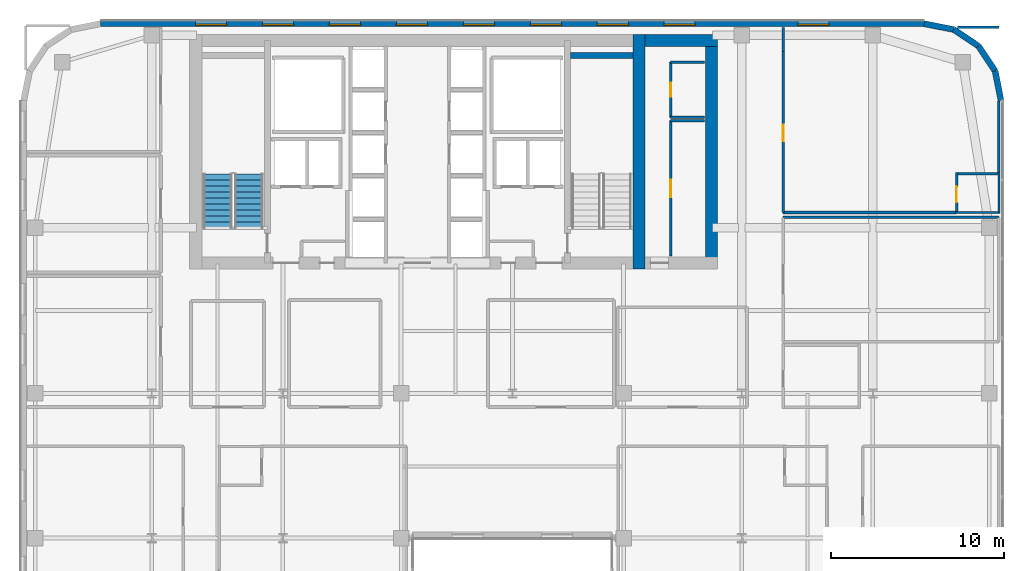
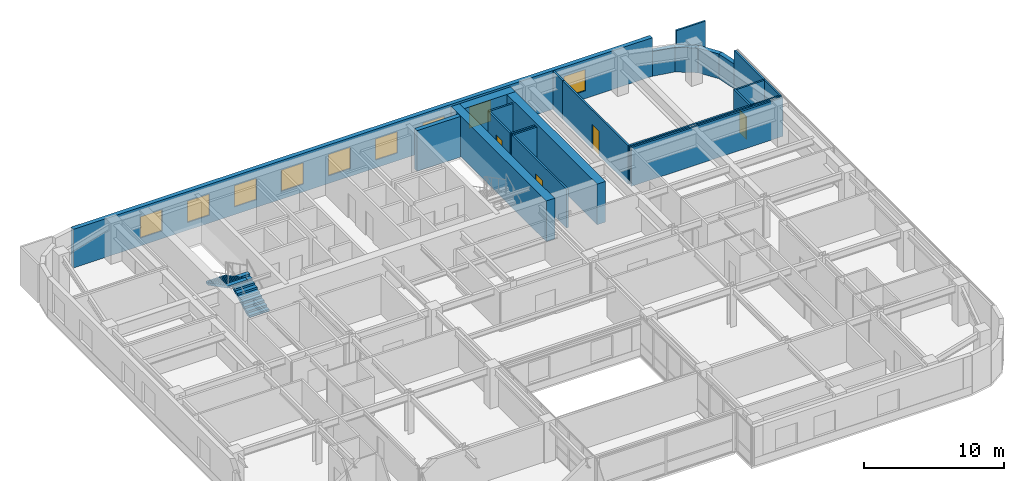
# One storey, part 25 of 31: 24 walls, 9 windows, 4 doors, 2 stair flights, 13 openings, 1 element without a shape of its own.
"""IFC4 building model written with IfcOpenShell, lengths in metres."""

from ifc_helpers import new_model, si_unit, direction, frame, frame_2d, origin, place, context, subcontext, project, spatial, polyline, rectangle, outline, extrude, source, transform, mapped, material, layer, layer_set, type_object, type_shapes, element, fill, aggregate, save


model = new_model("IFC4")

# Units and contexts
model_context = context("Model", 3, precision=1e-05, world=origin(), true_north=direction((0.0, 1.0)))
body_context = subcontext(model_context, "Body", "Model", "MODEL_VIEW")
ifc_project = project(units=[si_unit("LENGTHUNIT", "METRE"), si_unit("AREAUNIT", "SQUARE_METRE"), si_unit("VOLUMEUNIT", "CUBIC_METRE"), si_unit("PLANEANGLEUNIT", "RADIAN"), si_unit("MASSUNIT", "GRAM", prefix="KILO")], contexts=[model_context])

# Site, building, storey
site_placement = place(None, origin())
site = spatial("IfcSite", under=ifc_project, at=site_placement, CompositionType="ELEMENT")
building_placement = place(site_placement, origin())
building = spatial("IfcBuilding", under=site, at=building_placement, Name="Tolvann Quenvar Hotel", CompositionType="ELEMENT")
storey_placement = place(building_placement, frame((0.0, 0.0, 125.75)))
storey = spatial("IfcBuildingStorey", under=building, at=storey_placement, Name="L32", CompositionType="ELEMENT", Elevation=125.75)

# Walls
ifc_material_1 = material(Name="Concrete S65 (65 MPa)", Category="concrete")
ifc_layer_1 = layer(ifc_material_1, 0.699951171875)
ifc_layer_set_1 = layer_set([ifc_layer_1], Name="Concrete S65 (65 MPa)")
wall_type_1 = type_object("IfcWallType", Name="WALL_CORE_700", PredefinedType="SHEAR", material=ifc_layer_set_1)
wall_1_placement = place(storey_placement, frame((35.85009765625, 31.60009765625, 0.0), z_axis=(0.0, 0.0, 1.0), x_axis=(0.0, 1.0, 0.0)))
element("IfcWall", 1, at=wall_1_placement, inside=storey, type_object=wall_type_1, Name="Rear Core E Shear Wall (L32)", PredefinedType="SHEAR", context=body_context, shape_type="SweptSolid", body=[
    extrude(rectangle(XDim=13.599853515625, YDim=0.699951171875, at=frame_2d((6.7998046875, 0.0))), origin(), (0.0, 0.0, 1.0), 3.550048828125),
])
wall_2_placement = place(storey_placement, frame((36.199951171875, 44.85009765625, 0.0), z_axis=(0.0, 0.0, 1.0), x_axis=(1.0, 0.0, 0.0)))
element("IfcWall", 2, at=wall_2_placement, inside=storey, type_object=wall_type_1, Name="Core East Annex Shear Wall ANN-N (L32)", PredefinedType="SHEAR", context=body_context, shape_type="SweptSolid", body=[
    extrude(rectangle(XDim=4.199951171875, YDim=0.699951171875, at=frame_2d((2.10009765625, 0.0))), origin(), (0.0, 0.0, 1.0), 3.550048828125),
])
wall_3_placement = place(storey_placement, frame((40.050048828125, 31.60009765625, 0.0), z_axis=(0.0, 0.0, 1.0), x_axis=(0.0, 1.0, 0.0)))
element("IfcWall", 3, at=wall_3_placement, inside=storey, type_object=wall_type_1, Name="Core East Annex Shear Wall ANN-E (L32)", PredefinedType="SHEAR", context=body_context, shape_type="SweptSolid", body=[
    extrude(rectangle(XDim=13.599853515625, YDim=0.699951171875, at=frame_2d((6.7998046875, 0.0))), origin(), (0.0, 0.0, 1.0), 3.550048828125),
])
ifc_layer_2 = layer(ifc_material_1, 0.35009765625)
ifc_layer_set_2 = layer_set([ifc_layer_2], Name="Concrete S65 (65 MPa)")
wall_type_2 = type_object("IfcWallType", Name="WALL_CORE_INT_350", PredefinedType="SHEAR", material=ifc_layer_set_2)
wall_4_placement = place(storey_placement, frame((31.8798828125, 43.97509765625, 0.0), z_axis=(0.0, 0.0, 1.0), x_axis=(1.0, 0.0, 0.0)))
element("IfcWall", 4, at=wall_4_placement, inside=storey, type_object=wall_type_2, Name="Core Stair North Closing Shear Wall STC2-N (L32)", PredefinedType="SHEAR", context=body_context, shape_type="SweptSolid", body=[
    extrude(rectangle(XDim=3.60009765625, YDim=0.35009765625, at=frame_2d((1.800048828125, 0.0))), origin(), (0.0, 0.0, 1.0), 3.550048828125),
])
ifc_material_2 = material(Name="Kiln-fired red and buff architectural clay brickwork and terracotta masonry", Category="masonry")
ifc_layer_3 = layer(ifc_material_2, 0.35009765625)
ifc_layer_set_3 = layer_set([ifc_layer_3], Name="Kiln-fired red and buff architectural clay brickwork and terracotta masonry")
wall_type_3 = type_object("IfcWallType", Name="WALL_EXT_BRICK_350", PredefinedType="SOLIDWALL", material=ifc_layer_set_3)
wall_5_placement = place(storey_placement, frame((56.824951171875, 41.3828125, 0.0), z_axis=(0.0, 0.0, 1.0), x_axis=(-0.195011420161, 0.980800971659, 0.0)))
element("IfcWall", 5, at=wall_5_placement, inside=storey, type_object=wall_type_3, Name="Exterior Chicago Brick Wall L32-E14", PredefinedType="SOLIDWALL", context=body_context, shape_type="SweptSolid", body=[
    extrude(rectangle(XDim=1.74267578125, YDim=0.35009765625, at=frame_2d((0.871337890625, 0.0))), origin(), (0.0, 0.0, 1.0), 2.159912109375),
])
for number, where, z_axis, x_axis, name in (
    (6, (56.485107421875, 43.092041015625, 0.0), (0.0, 0.0, 1.0), (-0.55554893791, 0.831483840845, 0.0), "Exterior Chicago Brick Wall L32-E15"),
    (7, (55.526611328125, 44.526611328125, 0.0), (0.0, 0.0, 1.0), (-0.831483840845, 0.55554893791, 0.0), "Exterior Chicago Brick Wall L32-E16"),
):
    element("IfcWall", number, at=place(storey_placement, frame(where, z_axis=z_axis, x_axis=x_axis)), inside=storey, type_object=wall_type_3, Name=name, PredefinedType="SOLIDWALL", context=body_context, shape_type="SweptSolid", body=[
        extrude(rectangle(XDim=1.725341796875, YDim=0.35009765625, at=frame_2d((0.86279296875, 0.0))), origin(), (0.0, 0.0, 1.0), 2.159912109375),
    ])
wall_6_placement = place(storey_placement, frame((54.092041015625, 45.485107421875, 0.0), z_axis=(0.0, 0.0, 1.0), x_axis=(-0.980800971659, 0.195011420161, 0.0)))
element("IfcWall", 8, at=wall_6_placement, inside=storey, type_object=wall_type_3, Name="Exterior Chicago Brick Wall L32-E17", PredefinedType="SOLIDWALL", context=body_context, shape_type="SweptSolid", body=[
    extrude(rectangle(XDim=1.74267578125, YDim=0.35009765625, at=frame_2d((0.871337890625, 0.0))), origin(), (0.0, 0.0, 1.0), 2.159912109375),
])

# Wall, openings, windows
wall_7_placement = place(storey_placement, frame((52.3828125, 45.824951171875, 0.0), z_axis=(0.0, 0.0, 1.0), x_axis=(-1.0, 0.0, 0.0)))
wall_7 = element("IfcWall", 9, at=wall_7_placement, inside=storey, type_object=wall_type_3, Name="Exterior Chicago Brick Wall L32-E18", PredefinedType="SOLIDWALL", context=body_context, shape_type="SweptSolid", body=[
    extrude(rectangle(XDim=47.765625, YDim=0.35009765625, at=frame_2d((23.8828125, 0.0))), origin(), (0.0, 0.0, 1.0), 3.3701171875),
])
opening_1_placement = place(wall_7_placement, frame((5.52099609375, 0.0, 0.679931640625)))
opening_1 = element("IfcOpeningElement", 10, at=opening_1_placement, cuts=wall_7, Name="Opening W-03", PredefinedType="OPENING", context=body_context, shape_type="SweptSolid", body=[
    extrude(rectangle(XDim=1.800048828125, YDim=1.85009765625, at=frame_2d((0.89990234375, 0.925048828125))), frame((0.0, 0.18505859375, 0.0), z_axis=(0.0, -1.0, 0.0), x_axis=(1.0, 0.0, 0.0)), (0.0, 0.0, 1.0), 0.3701171875),
])
opening_2_placement = place(wall_7_placement, frame((13.281982421875, 0.0, 0.679931640625)))
opening_2 = element("IfcOpeningElement", 11, at=opening_2_placement, cuts=wall_7, Name="Opening W-03", PredefinedType="OPENING", context=body_context, shape_type="SweptSolid", body=[
    extrude(rectangle(XDim=1.800048828125, YDim=1.85009765625, at=frame_2d((0.89990234375, 0.925048828125))), frame((0.0, 0.18505859375, 0.0), z_axis=(0.0, -1.0, 0.0), x_axis=(1.0, 0.0, 0.0)), (0.0, 0.0, 1.0), 0.3701171875),
])
opening_3_placement = place(wall_7_placement, frame((17.162109375, 0.0, 0.679931640625)))
opening_3 = element("IfcOpeningElement", 12, at=opening_3_placement, cuts=wall_7, Name="Opening W-03", PredefinedType="OPENING", context=body_context, shape_type="SweptSolid", body=[
    extrude(rectangle(XDim=1.800048828125, YDim=1.85009765625, at=frame_2d((0.89990234375, 0.925048828125))), frame((0.0, 0.18505859375, 0.0), z_axis=(0.0, -1.0, 0.0), x_axis=(1.0, 0.0, 0.0)), (0.0, 0.0, 1.0), 0.3701171875),
])
opening_4_placement = place(wall_7_placement, frame((21.04296875, 0.0, 0.679931640625)))
opening_4 = element("IfcOpeningElement", 13, at=opening_4_placement, cuts=wall_7, Name="Opening W-03", PredefinedType="OPENING", context=body_context, shape_type="SweptSolid", body=[
    extrude(rectangle(XDim=1.800048828125, YDim=1.85009765625, at=frame_2d((0.89990234375, 0.925048828125))), frame((0.0, 0.18505859375, 0.0), z_axis=(0.0, -1.0, 0.0), x_axis=(1.0, 0.0, 0.0)), (0.0, 0.0, 1.0), 0.3701171875),
])
opening_5_placement = place(wall_7_placement, frame((24.923095703125, 0.0, 0.679931640625)))
opening_5 = element("IfcOpeningElement", 14, at=opening_5_placement, cuts=wall_7, Name="Opening W-03", PredefinedType="OPENING", context=body_context, shape_type="SweptSolid", body=[
    extrude(rectangle(XDim=1.800048828125, YDim=1.85009765625, at=frame_2d((0.89990234375, 0.925048828125))), frame((0.0, 0.18505859375, 0.0), z_axis=(0.0, -1.0, 0.0), x_axis=(1.0, 0.0, 0.0)), (0.0, 0.0, 1.0), 0.3701171875),
])
opening_6_placement = place(wall_7_placement, frame((28.803955078125, 0.0, 0.679931640625)))
opening_6 = element("IfcOpeningElement", 15, at=opening_6_placement, cuts=wall_7, Name="Opening W-03", PredefinedType="OPENING", context=body_context, shape_type="SweptSolid", body=[
    extrude(rectangle(XDim=1.800048828125, YDim=1.85009765625, at=frame_2d((0.89990234375, 0.925048828125))), frame((0.0, 0.18505859375, 0.0), z_axis=(0.0, -1.0, 0.0), x_axis=(1.0, 0.0, 0.0)), (0.0, 0.0, 1.0), 0.3701171875),
])
opening_7_placement = place(wall_7_placement, frame((32.68408203125, 0.0, 0.679931640625)))
opening_7 = element("IfcOpeningElement", 16, at=opening_7_placement, cuts=wall_7, Name="Opening W-03", PredefinedType="OPENING", context=body_context, shape_type="SweptSolid", body=[
    extrude(rectangle(XDim=1.800048828125, YDim=1.85009765625, at=frame_2d((0.89990234375, 0.925048828125))), frame((0.0, 0.18505859375, 0.0), z_axis=(0.0, -1.0, 0.0), x_axis=(1.0, 0.0, 0.0)), (0.0, 0.0, 1.0), 0.3701171875),
])
opening_8_placement = place(wall_7_placement, frame((36.56396484375, 0.0, 0.679931640625)))
opening_8 = element("IfcOpeningElement", 17, at=opening_8_placement, cuts=wall_7, Name="Opening W-03", PredefinedType="OPENING", context=body_context, shape_type="SweptSolid", body=[
    extrude(rectangle(XDim=1.800048828125, YDim=1.85009765625, at=frame_2d((0.89990234375, 0.925048828125))), frame((0.0, 0.18505859375, 0.0), z_axis=(0.0, -1.0, 0.0), x_axis=(1.0, 0.0, 0.0)), (0.0, 0.0, 1.0), 0.3701171875),
])
opening_9_placement = place(wall_7_placement, frame((40.445068359375, 0.0, 0.679931640625)))
opening_9 = element("IfcOpeningElement", 18, at=opening_9_placement, cuts=wall_7, Name="Opening W-03", PredefinedType="OPENING", context=body_context, shape_type="SweptSolid", body=[
    extrude(rectangle(XDim=1.800048828125, YDim=1.85009765625, at=frame_2d((0.89990234375, 0.925048828125))), frame((0.0, 0.18505859375, 0.0), z_axis=(0.0, -1.0, 0.0), x_axis=(1.0, 0.0, 0.0)), (0.0, 0.0, 1.0), 0.3701171875),
])
ifc_material_3 = material(Name="Thermally broken bronze-anodised aluminium frame with double low-E glazing", Category="aluminium")
window_type = type_object("IfcWindowType", Name="WIN_CHI_1800x2050", PartitioningType="TRIPLE_PANEL_HORIZONTAL", PredefinedType="WINDOW", material=ifc_material_3)
shared_shape_1 = source(origin(), body_context, "Body", "SweptSolid", [
    extrude(rectangle(XDim=1.800048828125, YDim=1.85009765625, at=frame_2d((0.89990234375, 0.925048828125))), frame((0.0, 0.090087890625, 0.0), z_axis=(0.0, -1.0, 0.0), x_axis=(1.0, 0.0, 0.0)), (0.0, 0.0, 1.0), 0.06005859375),
])
type_shapes(window_type, [shared_shape_1])
window_1_placement = place(opening_1_placement, origin())
window_1 = element("IfcWindow", 19, at=window_1_placement, inside=storey, type_object=window_type, Name="Chicago Window W-03 (EW-L32-E18-W01)", OverallHeight=1.85009765625, OverallWidth=1.800048828125, PartitioningType="TRIPLE_PANEL_HORIZONTAL", PredefinedType="WINDOW", context=body_context, shape_type="MappedRepresentation", body=[
    mapped(shared_shape_1, transform((0.0, 0.0, 0.0), x_axis=(1.0, 0.0, 0.0), y_axis=(0.0, 1.0, 0.0), z_axis=(0.0, 0.0, 1.0), scale=1.0)),
])
fill(opening_1, window_1)
window_2_placement = place(opening_2_placement, origin())
window_2 = element("IfcWindow", 20, at=window_2_placement, inside=storey, type_object=window_type, Name="Chicago Window W-03 (EW-L32-E18-W02)", OverallHeight=1.85009765625, OverallWidth=1.800048828125, PartitioningType="TRIPLE_PANEL_HORIZONTAL", PredefinedType="WINDOW", context=body_context, shape_type="MappedRepresentation", body=[
    mapped(shared_shape_1, transform((0.0, 0.0, 0.0), x_axis=(1.0, 0.0, 0.0), y_axis=(0.0, 1.0, 0.0), z_axis=(0.0, 0.0, 1.0), scale=1.0)),
])
fill(opening_2, window_2)
window_3_placement = place(opening_3_placement, origin())
window_3 = element("IfcWindow", 21, at=window_3_placement, inside=storey, type_object=window_type, Name="Chicago Window W-03 (EW-L32-E18-W03)", OverallHeight=1.85009765625, OverallWidth=1.800048828125, PartitioningType="TRIPLE_PANEL_HORIZONTAL", PredefinedType="WINDOW", context=body_context, shape_type="MappedRepresentation", body=[
    mapped(shared_shape_1, transform((0.0, 0.0, 0.0), x_axis=(1.0, 0.0, 0.0), y_axis=(0.0, 1.0, 0.0), z_axis=(0.0, 0.0, 1.0), scale=1.0)),
])
fill(opening_3, window_3)
window_4_placement = place(opening_4_placement, origin())
window_4 = element("IfcWindow", 22, at=window_4_placement, inside=storey, type_object=window_type, Name="Chicago Window W-03 (EW-L32-E18-W04)", OverallHeight=1.85009765625, OverallWidth=1.800048828125, PartitioningType="TRIPLE_PANEL_HORIZONTAL", PredefinedType="WINDOW", context=body_context, shape_type="MappedRepresentation", body=[
    mapped(shared_shape_1, transform((0.0, 0.0, 0.0), x_axis=(1.0, 0.0, 0.0), y_axis=(0.0, 1.0, 0.0), z_axis=(0.0, 0.0, 1.0), scale=1.0)),
])
fill(opening_4, window_4)
window_5_placement = place(opening_5_placement, origin())
window_5 = element("IfcWindow", 23, at=window_5_placement, inside=storey, type_object=window_type, Name="Chicago Window W-03 (EW-L32-E18-W05)", OverallHeight=1.85009765625, OverallWidth=1.800048828125, PartitioningType="TRIPLE_PANEL_HORIZONTAL", PredefinedType="WINDOW", context=body_context, shape_type="MappedRepresentation", body=[
    mapped(shared_shape_1, transform((0.0, 0.0, 0.0), x_axis=(1.0, 0.0, 0.0), y_axis=(0.0, 1.0, 0.0), z_axis=(0.0, 0.0, 1.0), scale=1.0)),
])
fill(opening_5, window_5)
window_6_placement = place(opening_6_placement, origin())
window_6 = element("IfcWindow", 24, at=window_6_placement, inside=storey, type_object=window_type, Name="Chicago Window W-03 (EW-L32-E18-W06)", OverallHeight=1.85009765625, OverallWidth=1.800048828125, PartitioningType="TRIPLE_PANEL_HORIZONTAL", PredefinedType="WINDOW", context=body_context, shape_type="MappedRepresentation", body=[
    mapped(shared_shape_1, transform((0.0, 0.0, 0.0), x_axis=(1.0, 0.0, 0.0), y_axis=(0.0, 1.0, 0.0), z_axis=(0.0, 0.0, 1.0), scale=1.0)),
])
fill(opening_6, window_6)
window_7_placement = place(opening_7_placement, origin())
window_7 = element("IfcWindow", 25, at=window_7_placement, inside=storey, type_object=window_type, Name="Chicago Window W-03 (EW-L32-E18-W07)", OverallHeight=1.85009765625, OverallWidth=1.800048828125, PartitioningType="TRIPLE_PANEL_HORIZONTAL", PredefinedType="WINDOW", context=body_context, shape_type="MappedRepresentation", body=[
    mapped(shared_shape_1, transform((0.0, 0.0, 0.0), x_axis=(1.0, 0.0, 0.0), y_axis=(0.0, 1.0, 0.0), z_axis=(0.0, 0.0, 1.0), scale=1.0)),
])
fill(opening_7, window_7)
window_8_placement = place(opening_8_placement, origin())
window_8 = element("IfcWindow", 26, at=window_8_placement, inside=storey, type_object=window_type, Name="Chicago Window W-03 (EW-L32-E18-W08)", OverallHeight=1.85009765625, OverallWidth=1.800048828125, PartitioningType="TRIPLE_PANEL_HORIZONTAL", PredefinedType="WINDOW", context=body_context, shape_type="MappedRepresentation", body=[
    mapped(shared_shape_1, transform((0.0, 0.0, 0.0), x_axis=(1.0, 0.0, 0.0), y_axis=(0.0, 1.0, 0.0), z_axis=(0.0, 0.0, 1.0), scale=1.0)),
])
fill(opening_8, window_8)
window_9_placement = place(opening_9_placement, origin())
window_9 = element("IfcWindow", 27, at=window_9_placement, inside=storey, type_object=window_type, Name="Chicago Window W-03 (EW-L32-E18-W09)", OverallHeight=1.85009765625, OverallWidth=1.800048828125, PartitioningType="TRIPLE_PANEL_HORIZONTAL", PredefinedType="WINDOW", context=body_context, shape_type="MappedRepresentation", body=[
    mapped(shared_shape_1, transform((0.0, 0.0, 0.0), x_axis=(1.0, 0.0, 0.0), y_axis=(0.0, 1.0, 0.0), z_axis=(0.0, 0.0, 1.0), scale=1.0)),
])
fill(opening_9, window_9)

# Walls
ifc_material_4 = material(Name="Moisture-resistant acoustic plumbing wall assembly")
ifc_layer_4 = layer(ifc_material_4, 0.1201171875)
ifc_layer_set_4 = layer_set([ifc_layer_4], Name="Moisture-resistant acoustic plumbing wall assembly")
wall_type_4 = type_object("IfcWallType", Name="WALL_PART_BATH_120", PredefinedType="PLUMBINGWALL", material=ifc_layer_set_4)
wall_8_placement = place(storey_placement, frame((54.179931640625, 34.8798828125, 0.0), z_axis=(0.0, 0.0, 1.0), x_axis=(1.0, 0.0, 0.0)))
element("IfcWall", 28, at=wall_8_placement, inside=storey, type_object=wall_type_4, Name="Non-Rated Plumbing Partition PT-SPC-L32-ENS-NE01-S", PredefinedType="PLUMBINGWALL", context=body_context, shape_type="SweptSolid", body=[
    extrude(rectangle(XDim=2.590087890625, YDim=0.1201171875, at=frame_2d((1.294921875, 0.0))), origin(), (0.0, 0.0, 1.0), 3.3701171875),
])
wall_9_placement = place(storey_placement, frame((56.699951171875, 34.81005859375, 0.0), z_axis=(0.0, 0.0, 1.0), x_axis=(0.0, 1.0, 0.0)))
element("IfcWall", 29, at=wall_9_placement, inside=storey, type_object=wall_type_4, Name="Non-Rated Plumbing Partition PT-SPC-L32-ENS-NE01-E", PredefinedType="PLUMBINGWALL", context=body_context, shape_type="SweptSolid", body=[
    extrude(rectangle(XDim=2.389892578125, YDim=0.1201171875, at=frame_2d((1.19482421875, 0.0))), origin(), (0.0, 0.0, 1.0), 3.3701171875),
])

# Wall, opening, door
ifc_material_5 = material(Name="Acoustic twin-stud fire-rated gypsum plasterboard partition")
ifc_layer_5 = layer(ifc_material_5, 0.14990234375)
ifc_layer_set_5 = layer_set([ifc_layer_5], Name="Acoustic twin-stud fire-rated gypsum plasterboard partition")
wall_type_5 = type_object("IfcWallType", Name="WALL_PART_SUITE_150", PredefinedType="PARTITIONING", material=ifc_layer_set_5)
wall_10_placement = place(storey_placement, frame((54.25, 34.81005859375, 0.0), z_axis=(0.0, 0.0, 1.0), x_axis=(0.0, 1.0, 0.0)))
wall_10 = element("IfcWall", 30, at=wall_10_placement, inside=storey, type_object=wall_type_5, Name="Interior Partition PT-SPC-L32-ENS-NE01-ENT", PredefinedType="PARTITIONING", context=body_context, shape_type="SweptSolid", body=[
    extrude(rectangle(XDim=2.389892578125, YDim=0.14990234375, at=frame_2d((1.19482421875, 0.0))), origin(), (0.0, 0.0, 1.0), 3.3701171875),
])
opening_10_placement = place(wall_10_placement, frame((0.6650390625, 0.0, 0.0)))
opening_10 = element("IfcOpeningElement", 31, at=opening_10_placement, cuts=wall_10, Name="Opening WD-01", PredefinedType="OPENING", context=body_context, shape_type="SweptSolid", body=[
    extrude(rectangle(XDim=0.919921875, YDim=2.010009765625, at=frame_2d((0.4599609375, 1.0048828125))), frame((0.0, 0.0849609375, 0.0), z_axis=(0.0, -1.0, 0.0), x_axis=(1.0, 0.0, 0.0)), (0.0, 0.0, 1.0), 0.169921875),
])
ifc_material_6 = material(Name="Solid-core American oak acoustic fire door leaf in steel frame", Category="steel")
door_type_1 = type_object("IfcDoorType", Name="DOOR_WC_920", OperationType="NOTDEFINED", PredefinedType="DOOR", material=ifc_material_6)
shared_shape_2 = source(origin(), body_context, "Body", "SweptSolid", [
    extrude(rectangle(XDim=0.919921875, YDim=2.010009765625, at=frame_2d((0.4599609375, 1.0048828125))), frame((0.0, 0.02490234375, 0.0), z_axis=(0.0, -1.0, 0.0), x_axis=(1.0, 0.0, 0.0)), (0.0, 0.0, 1.0), 0.050048828125),
])
type_shapes(door_type_1, [shared_shape_2])
door_1_placement = place(opening_10_placement, origin())
door_1 = element("IfcDoor", 32, at=door_1_placement, inside=storey, type_object=door_type_1, Name="Interior Door DOOR-SPC-L32-ENS-NE01", OperationType="SINGLE_SWING_LEFT", OverallHeight=2.010009765625, OverallWidth=0.919921875, PredefinedType="DOOR", context=body_context, shape_type="MappedRepresentation", body=[
    mapped(shared_shape_2, transform((0.0, 0.0, 0.0), x_axis=(1.0, 0.0, 0.0), y_axis=(0.0, 1.0, 0.0), z_axis=(0.0, 0.0, 1.0), scale=1.0)),
])
fill(opening_10, door_1)

# Walls
wall_11_placement = place(storey_placement, frame((54.179931640625, 37.1298828125, 0.0), z_axis=(0.0, 0.0, 1.0), x_axis=(1.0, 0.0, 0.0)))
element("IfcWall", 33, at=wall_11_placement, inside=storey, type_object=wall_type_5, Name="Interior Partition PT-SPC-L32-ENS-NE01-N", PredefinedType="PARTITIONING", context=body_context, shape_type="SweptSolid", body=[
    extrude(rectangle(XDim=2.590087890625, YDim=0.14990234375, at=frame_2d((1.294921875, 0.0))), origin(), (0.0, 0.0, 1.0), 3.3701171875),
])
wall_12_placement = place(storey_placement, frame((37.679931640625, 40.199951171875, 0.0), z_axis=(0.0, 0.0, 1.0), x_axis=(1.0, 0.0, 0.0)))
element("IfcWall", 34, at=wall_12_placement, inside=storey, type_object=wall_type_5, Name="Interior Partition PT-SPC-L32-RECPL-1-N", PredefinedType="PARTITIONING", context=body_context, shape_type="SweptSolid", body=[
    extrude(rectangle(XDim=1.965087890625, YDim=0.14990234375, at=frame_2d((0.982421875, 0.0))), origin(), (0.0, 0.0, 1.0), 3.3701171875),
])

# Wall, opening, door
wall_13_placement = place(storey_placement, frame((37.679931640625, 32.35498046875, 0.0), z_axis=(0.0, 0.0, 1.0), x_axis=(0.0, 1.0, 0.0)))
wall_13 = element("IfcWall", 35, at=wall_13_placement, inside=storey, type_object=wall_type_5, Name="Interior Partition PT-SPC-L32-RECPL-1-W", PredefinedType="PARTITIONING", context=body_context, shape_type="SweptSolid", body=[
    extrude(rectangle(XDim=7.844970703125, YDim=0.14990234375, at=frame_2d((3.92236328125, 0.0))), origin(), (0.0, 0.0, 1.0), 3.3701171875),
])
opening_11_placement = place(wall_13_placement, frame((3.41259765625, 0.0, 0.0)))
opening_11 = element("IfcOpeningElement", 36, at=opening_11_placement, cuts=wall_13, Name="Opening HD-01", PredefinedType="OPENING", context=body_context, shape_type="SweptSolid", body=[
    extrude(rectangle(XDim=1.02001953125, YDim=2.030029296875, at=frame_2d((0.510009765625, 1.01513671875))), frame((0.0, 0.0849609375, 0.0), z_axis=(0.0, -1.0, 0.0), x_axis=(1.0, 0.0, 0.0)), (0.0, 0.0, 1.0), 0.169921875),
])
ifc_material_7 = material(Name="Pressed galvanised steel fire-rated door set", Category="steel")
door_type_2 = type_object("IfcDoorType", Name="DOOR_BOH_1020", OperationType="NOTDEFINED", PredefinedType="DOOR", material=ifc_material_7)
shared_shape_3 = source(origin(), body_context, "Body", "SweptSolid", [
    extrude(rectangle(XDim=1.02001953125, YDim=2.030029296875, at=frame_2d((0.510009765625, 1.01513671875))), frame((0.0, 0.02490234375, 0.0), z_axis=(0.0, -1.0, 0.0), x_axis=(1.0, 0.0, 0.0)), (0.0, 0.0, 1.0), 0.050048828125),
])
type_shapes(door_type_2, [shared_shape_3])
door_2_placement = place(opening_11_placement, origin())
door_2 = element("IfcDoor", 37, at=door_2_placement, inside=storey, type_object=door_type_2, Name="Interior Door DOOR-SPC-L32-RECPL-1", OperationType="SINGLE_SWING_RIGHT", OverallHeight=2.030029296875, OverallWidth=1.02001953125, PredefinedType="DOOR", context=body_context, shape_type="MappedRepresentation", body=[
    mapped(shared_shape_3, transform((0.0, 0.0, 0.0), x_axis=(1.0, 0.0, 0.0), y_axis=(0.0, 1.0, 0.0), z_axis=(0.0, 0.0, 1.0), scale=1.0)),
])
fill(opening_11, door_2)

# Walls
for number, where, z_axis, x_axis, name in (
    (38, (37.679931640625, 40.39990234375, 0.0), (0.0, 0.0, 1.0), (1.0, 0.0, 0.0), "Interior Partition PT-SPC-L32-CSE-1-S"),
    (39, (37.679931640625, 43.60009765625, 0.0), (0.0, 0.0, 1.0), (1.0, 0.0, 0.0), "Interior Partition PT-SPC-L32-CSE-1-N"),
):
    element("IfcWall", number, at=place(storey_placement, frame(where, z_axis=z_axis, x_axis=x_axis)), inside=storey, type_object=wall_type_5, Name=name, PredefinedType="PARTITIONING", context=body_context, shape_type="SweptSolid", body=[
        extrude(rectangle(XDim=1.965087890625, YDim=0.14990234375, at=frame_2d((0.982421875, 0.0))), origin(), (0.0, 0.0, 1.0), 3.3701171875),
    ])

# Wall, opening, door
wall_14_placement = place(storey_placement, frame((37.679931640625, 40.39990234375, 0.0), z_axis=(0.0, 0.0, 1.0), x_axis=(0.0, 1.0, 0.0)))
wall_14 = element("IfcWall", 40, at=wall_14_placement, inside=storey, type_object=wall_type_5, Name="Interior Partition PT-SPC-L32-CSE-1-W", PredefinedType="PARTITIONING", context=body_context, shape_type="SweptSolid", body=[
    extrude(rectangle(XDim=3.2001953125, YDim=0.14990234375, at=frame_2d((1.60009765625, 0.0))), origin(), (0.0, 0.0, 1.0), 3.3701171875),
])
opening_12_placement = place(wall_14_placement, frame((1.18994140625, 0.0, 0.0)))
opening_12 = element("IfcOpeningElement", 41, at=opening_12_placement, cuts=wall_14, Name="Opening HD-02", PredefinedType="OPENING", context=body_context, shape_type="SweptSolid", body=[
    extrude(rectangle(XDim=0.820068359375, YDim=2.010009765625, at=frame_2d((0.41015625, 1.0048828125))), frame((0.0, 0.0849609375, 0.0), z_axis=(0.0, -1.0, 0.0), x_axis=(1.0, 0.0, 0.0)), (0.0, 0.0, 1.0), 0.169921875),
])
door_type_3 = type_object("IfcDoorType", Name="DOOR_STORE_820", OperationType="NOTDEFINED", PredefinedType="DOOR", material=ifc_material_7)
shared_shape_4 = source(origin(), body_context, "Body", "SweptSolid", [
    extrude(rectangle(XDim=0.820068359375, YDim=2.010009765625, at=frame_2d((0.41015625, 1.0048828125))), frame((0.0, 0.02490234375, 0.0), z_axis=(0.0, -1.0, 0.0), x_axis=(1.0, 0.0, 0.0)), (0.0, 0.0, 1.0), 0.050048828125),
])
type_shapes(door_type_3, [shared_shape_4])
door_3_placement = place(opening_12_placement, origin())
door_3 = element("IfcDoor", 42, at=door_3_placement, inside=storey, type_object=door_type_3, Name="Interior Door DOOR-SPC-L32-CSE-1", OperationType="SINGLE_SWING_LEFT", OverallHeight=2.010009765625, OverallWidth=0.820068359375, PredefinedType="DOOR", context=body_context, shape_type="MappedRepresentation", body=[
    mapped(shared_shape_4, transform((0.0, 0.0, 0.0), x_axis=(1.0, 0.0, 0.0), y_axis=(0.0, 1.0, 0.0), z_axis=(0.0, 0.0, 1.0), scale=1.0)),
])
fill(opening_12, door_3)

# Wall
wall_15_placement = place(storey_placement, frame((44.199951171875, 34.60009765625, 0.0), z_axis=(0.0, 0.0, 1.0), x_axis=(1.0, 0.0, 0.0)))
element("IfcWall", 43, at=wall_15_placement, inside=storey, type_object=wall_type_5, Name="Interior Partition PT-SPC-L32-SPA-N", PredefinedType="PARTITIONING", context=body_context, shape_type="SweptSolid", body=[
    extrude(rectangle(XDim=12.5, YDim=0.14990234375, at=frame_2d((6.25, 0.0))), origin(), (0.0, 0.0, 1.0), 3.3701171875),
])

# Wall, opening, door
wall_16_placement = place(storey_placement, frame((44.199951171875, 34.8798828125, 0.0), z_axis=(0.0, 0.0, 1.0), x_axis=(0.0, 1.0, 0.0)))
wall_16 = element("IfcWall", 44, at=wall_16_placement, inside=storey, type_object=wall_type_5, Name="Interior Partition PT-SPC-L32-RM-NE01-ENT", PredefinedType="PARTITIONING", context=body_context, shape_type="SweptSolid", body=[
    extrude(rectangle(XDim=9.330078125, YDim=0.14990234375, at=frame_2d((4.6650390625, 0.0))), origin(), (0.0, 0.0, 1.0), 3.3701171875),
])
opening_13_placement = place(wall_16_placement, frame((4.1201171875, 0.0, 0.0)))
opening_13 = element("IfcOpeningElement", 45, at=opening_13_placement, cuts=wall_16, Name="Opening SD-01", PredefinedType="OPENING", context=body_context, shape_type="SweptSolid", body=[
    extrude(rectangle(XDim=0.97998046875, YDim=2.1201171875, at=frame_2d((0.489990234375, 1.06005859375))), frame((0.0, 0.0849609375, 0.0), z_axis=(0.0, -1.0, 0.0), x_axis=(1.0, 0.0, 0.0)), (0.0, 0.0, 1.0), 0.169921875),
])
door_type_4 = type_object("IfcDoorType", Name="DOOR_SUITE_980", OperationType="NOTDEFINED", PredefinedType="DOOR", material=ifc_material_6)
shared_shape_5 = source(origin(), body_context, "Body", "SweptSolid", [
    extrude(rectangle(XDim=0.97998046875, YDim=2.1201171875, at=frame_2d((0.489990234375, 1.06005859375))), frame((0.0, 0.02490234375, 0.0), z_axis=(0.0, -1.0, 0.0), x_axis=(1.0, 0.0, 0.0)), (0.0, 0.0, 1.0), 0.050048828125),
])
type_shapes(door_type_4, [shared_shape_5])
door_4_placement = place(opening_13_placement, origin())
door_4 = element("IfcDoor", 46, at=door_4_placement, inside=storey, type_object=door_type_4, Name="Interior Door DOOR-SPC-L32-RM-NE01", OperationType="SINGLE_SWING_LEFT", OverallHeight=2.1201171875, OverallWidth=0.97998046875, PredefinedType="DOOR", context=body_context, shape_type="MappedRepresentation", body=[
    mapped(shared_shape_5, transform((0.0, 0.0, 0.0), x_axis=(1.0, 0.0, 0.0), y_axis=(0.0, 1.0, 0.0), z_axis=(0.0, 0.0, 1.0), scale=1.0)),
])
fill(opening_13, door_4)

# Walls
wall_17_placement = place(storey_placement, frame((44.199951171875, 34.8798828125, 0.0), z_axis=(0.0, 0.0, 1.0), x_axis=(1.0, 0.0, 0.0)))
element("IfcWall", 47, at=wall_17_placement, inside=storey, type_object=wall_type_5, Name="Interior Partition PT-SPC-L32-RM-NE01-E1", PredefinedType="PARTITIONING", context=body_context, shape_type="SweptSolid", body=[
    extrude(rectangle(XDim=10.030029296875, YDim=0.14990234375, at=frame_2d((5.01513671875, 0.0))), origin(), (0.0, 0.0, 1.0), 3.3701171875),
])
wall_18_placement = place(storey_placement, frame((56.699951171875, 37.14990234375, 0.0), z_axis=(0.0, 0.0, 1.0), x_axis=(0.0, 1.0, 0.0)))
element("IfcWall", 48, at=wall_18_placement, inside=storey, type_object=wall_type_5, Name="Interior Partition PT-SPC-L32-RM-NE01-E4", PredefinedType="PARTITIONING", context=body_context, shape_type="SweptSolid", body=[
    extrude(rectangle(XDim=4.2080078125, YDim=0.14990234375, at=frame_2d((2.10400390625, 0.0))), origin(), (0.0, 0.0, 1.0), 3.3701171875),
])
wall_19_placement = place(storey_placement, frame((54.303955078125, 45.6201171875, 0.0), z_axis=(0.0, 0.0, 1.0), x_axis=(1.0, 0.0, 0.0)))
element("IfcWall", 49, at=wall_19_placement, inside=storey, type_object=wall_type_5, Name="Interior Partition PT-SPC-L32-RM-NE01-E5", PredefinedType="PARTITIONING", context=body_context, shape_type="SweptSolid", body=[
    extrude(rectangle(XDim=2.39599609375, YDim=0.14990234375, at=frame_2d((1.197998046875, 0.0))), origin(), (0.0, 0.0, 1.0), 3.3701171875),
])
wall_20_placement = place(storey_placement, frame((44.199951171875, 44.219970703125, 0.0), z_axis=(0.0, 0.0, 1.0), x_axis=(0.0, 1.0, 0.0)))
element("IfcWall", 50, at=wall_20_placement, inside=storey, type_object=wall_type_5, Name="Interior Partition PT-SPC-L32-RM-NE01-E6", PredefinedType="PARTITIONING", context=body_context, shape_type="SweptSolid", body=[
    extrude(rectangle(XDim=1.375, YDim=0.14990234375, at=frame_2d((0.6875, 0.0))), origin(), (0.0, 0.0, 1.0), 3.3701171875),
])

# Stair, stair flights
ifc_material_8 = material(Name="Concrete N40 (40 MPa)", Category="concrete")
stair_type = type_object("IfcStairType", Name="STAIR", PredefinedType="HALF_TURN_STAIR", material=ifc_material_8)
stair_placement = place(storey_placement, origin())
stair = element("IfcStair", 51, at=stair_placement, inside=storey, type_object=stair_type, Name="L32 ST-C1", PredefinedType="HALF_TURN_STAIR")
stair_flight_type = type_object("IfcStairFlightType", Name="STAIR_FLIGHT", PredefinedType="STRAIGHT", material=ifc_material_8)
stair_flight_1_placement = place(storey_placement, frame((13.22509765625, 34.0, 0.0), z_axis=(0.0, 0.0, 1.0), x_axis=(0.0, 1.0, 0.0)))
stair_flight_1 = element("IfcStairFlight", 52, at=stair_flight_1_placement, type_object=stair_flight_type, Name="ST-C1 flight 1", NumberOfRisers=10, NumberOfTreads=9, PredefinedType="STRAIGHT", RiserHeight=0.1775, TreadLength=0.345, context=body_context, shape_type="SweptSolid", body=[
    extrude(outline(polyline([(0.0, 0.0), (0.0, 0.177490234375), (0.344970703125, 0.177490234375), (0.344970703125, 0.35498046875), (0.68994140625, 0.35498046875), (0.68994140625, 0.532470703125), (1.034912109375, 0.532470703125), (1.034912109375, 0.7099609375), (1.3798828125, 0.7099609375), (1.3798828125, 0.887451171875), (1.72509765625, 0.887451171875), (1.72509765625, 1.06494140625), (2.070068359375, 1.06494140625), (2.070068359375, 1.242431640625), (2.4150390625, 1.242431640625), (2.4150390625, 1.419921875), (2.760009765625, 1.419921875), (2.760009765625, 1.597412109375), (3.10498046875, 1.597412109375), (3.10498046875, 1.77490234375), (3.10498046875, 1.428955078125), (0.32763671875, 0.0), (0.0, 0.0)])), frame((0.0, 0.824951171875, 0.0), z_axis=(0.0, -1.0, 0.0), x_axis=(1.0, 0.0, 0.0)), (0.0, 0.0, 1.0), 1.64990234375),
])
stair_flight_2_placement = place(storey_placement, frame((11.425048828125, 37.10498046875, 1.77490234375), z_axis=(0.0, 0.0, 1.0), x_axis=(0.0, -1.0, 0.0)))
stair_flight_2 = element("IfcStairFlight", 53, at=stair_flight_2_placement, type_object=stair_flight_type, Name="ST-C1 flight 2", NumberOfRisers=10, NumberOfTreads=9, PredefinedType="STRAIGHT", RiserHeight=0.1775, TreadLength=0.345, context=body_context, shape_type="SweptSolid", body=[
    extrude(outline(polyline([(0.0, 0.0), (0.0, 0.177490234375), (0.344970703125, 0.177490234375), (0.344970703125, 0.35498046875), (0.68994140625, 0.35498046875), (0.68994140625, 0.532470703125), (1.034912109375, 0.532470703125), (1.034912109375, 0.7099609375), (1.3798828125, 0.7099609375), (1.3798828125, 0.887451171875), (1.72509765625, 0.887451171875), (1.72509765625, 1.06494140625), (2.070068359375, 1.06494140625), (2.070068359375, 1.242431640625), (2.4150390625, 1.242431640625), (2.4150390625, 1.419921875), (2.760009765625, 1.419921875), (2.760009765625, 1.597412109375), (3.10498046875, 1.597412109375), (3.10498046875, 1.77490234375), (3.10498046875, 1.428955078125), (0.32763671875, 0.0), (0.0, 0.0)])), frame((0.0, 0.824951171875, 0.0), z_axis=(0.0, -1.0, 0.0), x_axis=(1.0, 0.0, 0.0)), (0.0, 0.0, 1.0), 1.64990234375),
])
aggregate(stair, [stair_flight_1, stair_flight_2])

save(model, "model.ifc")
